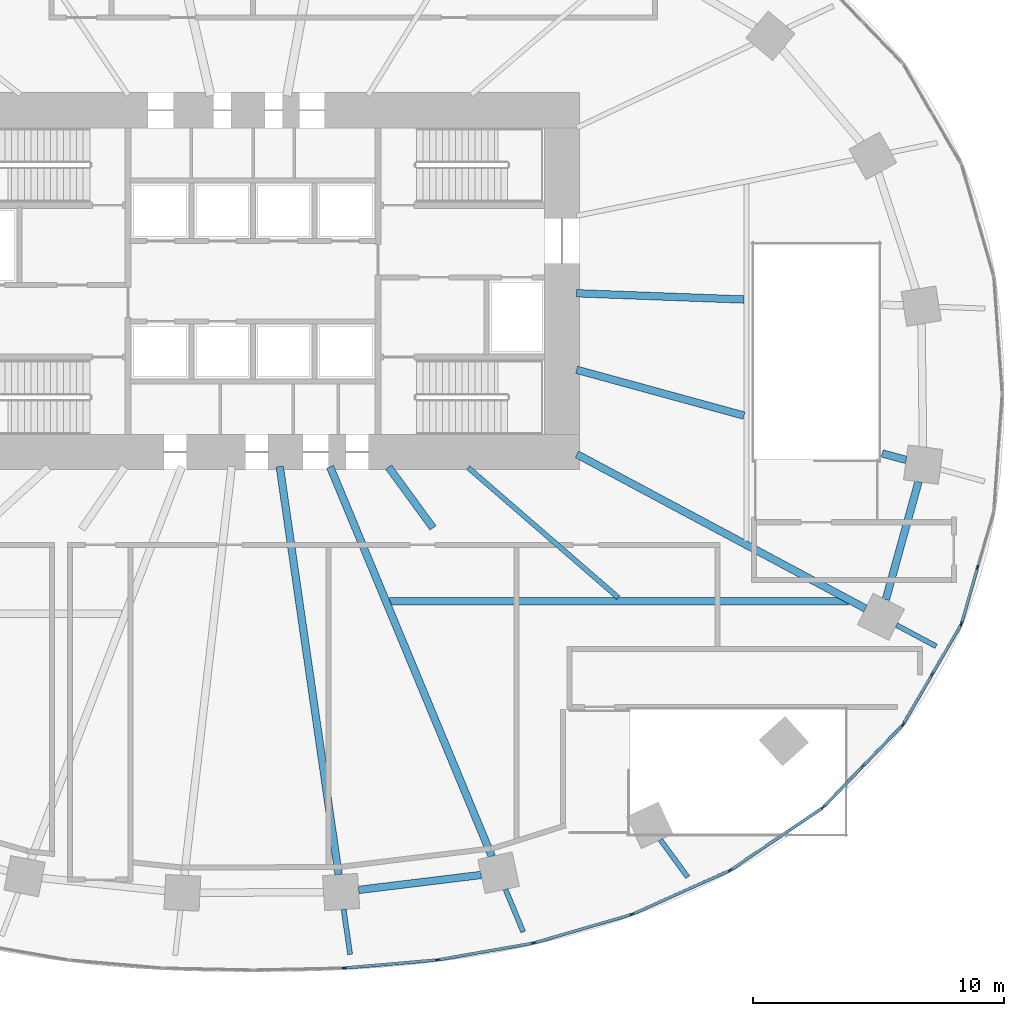
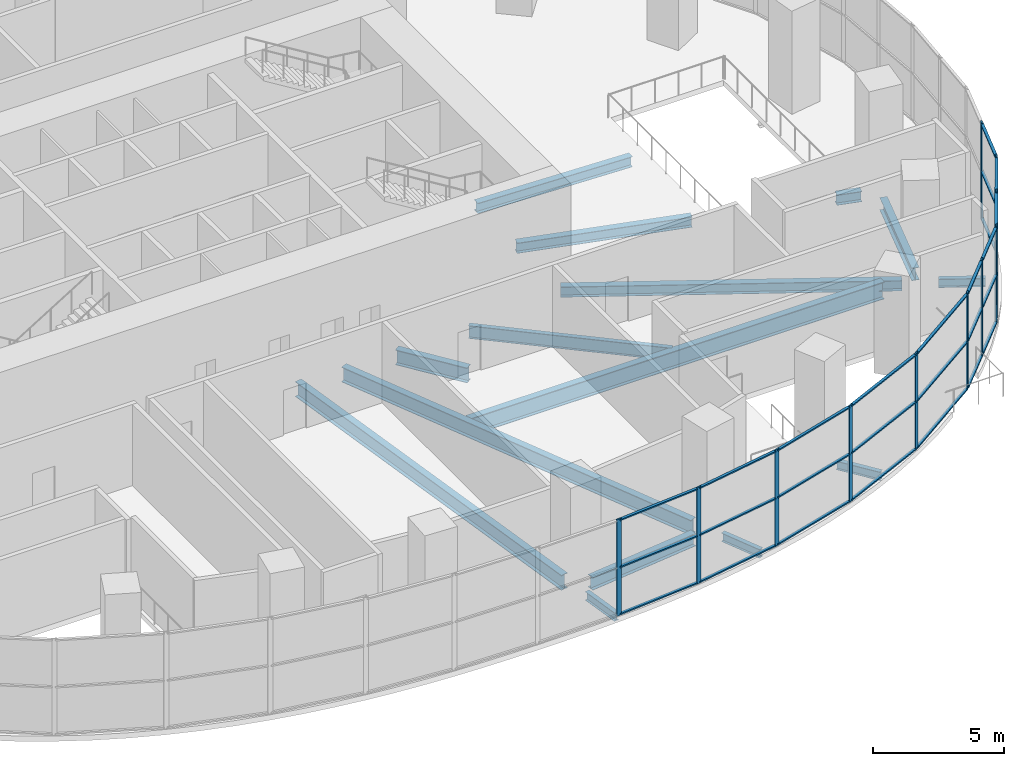
# One storey, part 5 of 17: 41 members, 15 beams, 8 elements without a shape of their own.
"""IFC4 building model written with IfcOpenShell, lengths in metres."""

from ifc_helpers import new_model, si_unit, direction, frame, origin, origin_2d, place, context, subcontext, project, spatial, rectangle, i_section, extrude, material, material_profile, profile_set, type_object, element, aggregate, save


model = new_model("IFC4")

# Units and contexts
model_context = context("Model", 3, precision=1e-05, world=origin(), true_north=direction((0.0, 1.0)))
body_context = subcontext(model_context, "Body", "Model", "MODEL_VIEW")
ifc_project = project(units=[si_unit("LENGTHUNIT", "METRE"), si_unit("AREAUNIT", "SQUARE_METRE"), si_unit("VOLUMEUNIT", "CUBIC_METRE"), si_unit("PLANEANGLEUNIT", "RADIAN"), si_unit("MASSUNIT", "GRAM", prefix="KILO")], contexts=[model_context])

# Site, building, storey
site_placement = place(None, origin())
site = spatial("IfcSite", under=ifc_project, at=site_placement, CompositionType="ELEMENT")
building_placement = place(site_placement, origin())
building = spatial("IfcBuilding", under=site, at=building_placement, Name="Rubra Terraces Tower", CompositionType="ELEMENT")
storey_placement = place(building_placement, frame((0.0, 0.0, 28.199951171875)))
storey = spatial("IfcBuildingStorey", under=building, at=storey_placement, Name="L04", CompositionType="ELEMENT", Elevation=28.199951171875)

# Beams
ifc_material_1 = material(Name="Steel Q355B", Category="steel")
ifc_material_profile_1 = material_profile(ifc_material_1, i_section(OverallWidth=0.199951171875, OverallDepth=0.39990234375, WebThickness=0.008056640625, FlangeThickness=0.012939453125, at=origin_2d()), Name="HN 400x200x8x13")
ifc_profile_set_1 = profile_set([ifc_material_profile_1], Name="Steel Q355B")
beam_type_1 = type_object("IfcBeamType", Name="CANTILEVER BEAM HN 400x200x8x13", PredefinedType="BEAM", material=ifc_profile_set_1)
beam_1_placement = place(storey_placement, frame((3.60888671875, -20.51904296875, -0.449951171875), z_axis=(0.142763772924, -0.989756790904, 0.0), x_axis=(0.989756790904, 0.142763772924, 0.0)))
element("IfcBeam", 1, at=beam_1_placement, inside=storey, type_object=beam_type_1, Name="beam-L04-cant-19", PredefinedType="BEAM", context=body_context, shape_type="SweptSolid", body=[
    extrude(i_section(OverallWidth=0.199951171875, OverallDepth=0.39990234375, WebThickness=0.008056640625, FlangeThickness=0.012939453125, at=origin_2d()), origin(), (0.0, 0.0, 1.0), 1.8076171875),
])
beam_2_placement = place(storey_placement, frame((10.052978515625, -19.715087890625, -0.449951171875), z_axis=(0.383493077266, -0.923543750826, 0.0), x_axis=(0.923543750826, 0.383493077266, 0.0)))
element("IfcBeam", 2, at=beam_2_placement, inside=storey, type_object=beam_type_1, Name="beam-L04-cant-20", PredefinedType="BEAM", context=body_context, shape_type="SweptSolid", body=[
    extrude(i_section(OverallWidth=0.199951171875, OverallDepth=0.39990234375, WebThickness=0.008056640625, FlangeThickness=0.012939453125, at=origin_2d()), origin(), (0.0, 0.0, 1.0), 1.838623046875),
])
beam_3_placement = place(storey_placement, frame((16.219970703125, -17.741943359375, -0.449951171875), z_axis=(0.589263865816, -0.80794065156, 0.0), x_axis=(0.80794065156, 0.589263865816, 0.0)))
element("IfcBeam", 3, at=beam_3_placement, inside=storey, type_object=beam_type_1, Name="beam-L04-cant-21", PredefinedType="BEAM", context=body_context, shape_type="SweptSolid", body=[
    extrude(i_section(OverallWidth=0.199951171875, OverallDepth=0.39990234375, WebThickness=0.008056640625, FlangeThickness=0.012939453125, at=origin_2d()), origin(), (0.0, 0.0, 1.0), 1.8466796875),
])
beam_4_placement = place(storey_placement, frame((25.62109375, -9.196044921875, -0.449951171875), z_axis=(0.881903321084, -0.471430304776, 0.0), x_axis=(0.471430304776, 0.881903321084, 0.0)))
element("IfcBeam", 4, at=beam_4_placement, inside=storey, type_object=beam_type_1, Name="beam-L04-cant-23", PredefinedType="BEAM", context=body_context, shape_type="SweptSolid", body=[
    extrude(i_section(OverallWidth=0.199951171875, OverallDepth=0.39990234375, WebThickness=0.008056640625, FlangeThickness=0.012939453125, at=origin_2d()), origin(), (0.0, 0.0, 1.0), 1.790283203125),
])
ifc_material_profile_2 = material_profile(ifc_material_1, i_section(OverallWidth=0.300048828125, OverallDepth=0.48193359375, WebThickness=0.010986328125, FlangeThickness=0.014892578125, at=origin_2d()), Name="HM 482x300x11x15")
ifc_profile_set_2 = profile_set([ifc_material_profile_2], Name="Steel Q355B")
beam_type_2 = type_object("IfcBeamType", Name="FLOOR BEAM HM 482x300x11x15", PredefinedType="BEAM", material=ifc_profile_set_2)
beam_5_placement = place(storey_placement, frame((19.550048828125, 3.76708984375, -0.490966796875), z_axis=(-0.99929835172, 0.037454028482, 0.0), x_axis=(-0.037454028482, -0.99929835172, 0.0)))
element("IfcBeam", 5, at=beam_5_placement, inside=storey, type_object=beam_type_2, Name="beam-L04-floor-01-b", PredefinedType="BEAM", context=body_context, shape_type="SweptSolid", body=[
    extrude(i_section(OverallWidth=0.300048828125, OverallDepth=0.48193359375, WebThickness=0.010986328125, FlangeThickness=0.014892578125, at=origin_2d()), origin(), (0.0, 0.0, 1.0), 6.6748046875),
])
beam_6_placement = place(storey_placement, frame((24.385009765625, -8.535888671875, -0.490966796875), z_axis=(-0.881896613876, 0.471442851716, 0.0), x_axis=(-0.471442851716, -0.881896613876, 0.0)))
element("IfcBeam", 6, at=beam_6_placement, inside=storey, type_object=beam_type_2, Name="beam-L04-floor-23", PredefinedType="BEAM", context=body_context, shape_type="SweptSolid", body=[
    extrude(i_section(OverallWidth=0.300048828125, OverallDepth=0.48193359375, WebThickness=0.010986328125, FlangeThickness=0.014892578125, at=origin_2d()), origin(), (0.0, 0.0, 1.0), 13.02978515625),
])
beam_7_placement = place(storey_placement, frame((26.001953125, -2.62109375, -0.490966796875), z_axis=(-0.964409050959, 0.264414792376, 0.0), x_axis=(-0.264414792376, -0.964409050959, 0.0)))
element("IfcBeam", 7, at=beam_7_placement, inside=storey, type_object=beam_type_2, Name="beam-L04-floor-24-a", PredefinedType="BEAM", context=body_context, shape_type="SweptSolid", body=[
    extrude(i_section(OverallWidth=0.300048828125, OverallDepth=0.48193359375, WebThickness=0.010986328125, FlangeThickness=0.014892578125, at=origin_2d()), origin(), (0.0, 0.0, 1.0), 0.987060546875),
])
beam_8_placement = place(storey_placement, frame((19.550048828125, -0.85498046875, -0.490966796875), z_axis=(-0.96447222005, 0.26418428559, 0.0), x_axis=(-0.26418428559, -0.96447222005, 0.0)))
element("IfcBeam", 8, at=beam_8_placement, inside=storey, type_object=beam_type_2, Name="beam-L04-floor-24-b", PredefinedType="BEAM", context=body_context, shape_type="SweptSolid", body=[
    extrude(i_section(OverallWidth=0.300048828125, OverallDepth=0.48193359375, WebThickness=0.010986328125, FlangeThickness=0.014892578125, at=origin_2d()), origin(), (0.0, 0.0, 1.0), 6.91162109375),
])
ifc_material_profile_3 = material_profile(ifc_material_1, i_section(OverallWidth=0.198974609375, OverallDepth=0.595947265625, WebThickness=0.010009765625, FlangeThickness=0.014892578125, at=origin_2d()), Name="HN 596x199x10x15")
ifc_profile_set_3 = profile_set([ifc_material_profile_3], Name="Steel Q355B")
beam_type_3 = type_object("IfcBeamType", Name="FLOOR BEAM HN 596x199x10x15", PredefinedType="BEAM", material=ifc_profile_set_3)
beam_9_placement = place(storey_placement, frame((14.5390625, -8.10009765625, -0.5478515625), z_axis=(-0.755693157297, 0.654925837033, 0.0), x_axis=(-0.654925837033, -0.755693157297, 0.0)))
element("IfcBeam", 9, at=beam_9_placement, inside=storey, type_object=beam_type_3, Name="beam-L04-floor-22-a", PredefinedType="BEAM", context=body_context, shape_type="SweptSolid", body=[
    extrude(i_section(OverallWidth=0.198974609375, OverallDepth=0.595947265625, WebThickness=0.010009765625, FlangeThickness=0.014892578125, at=origin_2d()), origin(), (0.0, 0.0, 1.0), 7.907958984375),
])
ifc_material_profile_4 = material_profile(ifc_material_1, i_section(OverallWidth=0.300048828125, OverallDepth=0.699951171875, WebThickness=0.012939453125, FlangeThickness=0.02392578125, at=origin_2d()), Name="HN 700x300x13x24")
ifc_profile_set_4 = profile_set([ifc_material_profile_4], Name="Steel Q355B")
beam_type_4 = type_object("IfcBeamType", Name="FLOOR BEAM HN 700x300x13x24", PredefinedType="BEAM", material=ifc_profile_set_4)
beam_10_placement = place(storey_placement, frame((3.408935546875, -19.12890625, -0.599853515625), z_axis=(-0.142787075711, 0.9897534294, 0.0), x_axis=(-0.9897534294, -0.142787075711, 0.0)))
element("IfcBeam", 10, at=beam_10_placement, inside=storey, type_object=beam_type_4, Name="beam-L04-floor-19", PredefinedType="BEAM", context=body_context, shape_type="SweptSolid", body=[
    extrude(i_section(OverallWidth=0.300048828125, OverallDepth=0.699951171875, WebThickness=0.012939453125, FlangeThickness=0.02392578125, at=origin_2d()), origin(), (0.0, 0.0, 1.0), 16.416015625),
])
beam_11_placement = place(storey_placement, frame((9.507080078125, -18.40087890625, -0.599853515625), z_axis=(-0.383379543301, 0.923590886582, 0.0), x_axis=(-0.923590886582, -0.383379543301, 0.0)))
element("IfcBeam", 11, at=beam_11_placement, inside=storey, type_object=beam_type_4, Name="beam-L04-floor-20", PredefinedType="BEAM", context=body_context, shape_type="SweptSolid", body=[
    extrude(i_section(OverallWidth=0.300048828125, OverallDepth=0.699951171875, WebThickness=0.012939453125, FlangeThickness=0.02392578125, at=origin_2d()), origin(), (0.0, 0.0, 1.0), 16.795166015625),
])
beam_12_placement = place(storey_placement, frame((7.1669921875, -5.326904296875, -0.599853515625), z_axis=(-0.589322677246, 0.807897754722, 0.0), x_axis=(-0.807897754722, -0.589322677246, 0.0)))
element("IfcBeam", 12, at=beam_12_placement, inside=storey, type_object=beam_type_4, Name="beam-L04-floor-21-a", PredefinedType="BEAM", context=body_context, shape_type="SweptSolid", body=[
    extrude(i_section(OverallWidth=0.300048828125, OverallDepth=0.699951171875, WebThickness=0.012939453125, FlangeThickness=0.02392578125, at=origin_2d()), origin(), (0.0, 0.0, 1.0), 3.000244140625),
])

# Curtain wall, member
ifc_material_2 = material(Name="Aluminium and glass", Category="aluminium")
curtain_wall_type = type_object("IfcCurtainWallType", Name="Curtain wall Podium glazing", PredefinedType="NOTDEFINED", material=ifc_material_2)
curtain_wall_1_placement = place(storey_placement, origin())
curtain_wall_1 = element("IfcCurtainWall", 13, at=curtain_wall_1_placement, inside=storey, type_object=curtain_wall_type, Name="L04 glazing bay 32", PredefinedType="NOTDEFINED")
ifc_material_3 = material(Name="Aluminium, anodised dark grey", Category="aluminium")
ifc_material_profile_5 = material_profile(ifc_material_3, rectangle(XDim=0.06005859375, YDim=0.199951171875, at=origin_2d()), Name="AL 60x200")
ifc_profile_set_5 = profile_set([ifc_material_profile_5], Name="Aluminium, anodised dark grey")
member_type_1 = type_object("IfcMemberType", Name="Podium glazing mullion 60 x 200", PredefinedType="MULLION", material=ifc_profile_set_5)
member_1_placement = place(storey_placement, frame((3.6533203125, -22.8447265625, 0.0), z_axis=(0.0, 0.0, 1.0), x_axis=(-0.08639804595, 0.996260697637, 0.0)))
member_1 = element("IfcMember", 14, at=member_1_placement, type_object=member_type_1, Name="CW1 mullion 1", PredefinedType="MULLION", context=body_context, shape_type="SweptSolid", body=[
    extrude(rectangle(XDim=0.06005859375, YDim=0.199951171875, at=origin_2d()), origin(), (0.0, 0.0, 1.0), 4.5),
])

curtain_wall_2_placement = place(storey_placement, origin())
curtain_wall_2 = element("IfcCurtainWall", 15, at=curtain_wall_2_placement, inside=storey, type_object=curtain_wall_type, Name="L04 glazing bay 33", PredefinedType="NOTDEFINED")
member_2_placement = place(storey_placement, frame((7.359619140625, -22.52099609375, 0.0), z_axis=(0.0, 0.0, 1.0), x_axis=(-0.172816985997, 0.984953952909, 0.0)))
member_2 = element("IfcMember", 16, at=member_2_placement, type_object=member_type_1, Name="CW1 mullion 1", PredefinedType="MULLION", context=body_context, shape_type="SweptSolid", body=[
    extrude(rectangle(XDim=0.06005859375, YDim=0.199951171875, at=origin_2d()), origin(), (0.0, 0.0, 1.0), 4.5),
])

curtain_wall_3_placement = place(storey_placement, origin())
curtain_wall_3 = element("IfcCurtainWall", 17, at=curtain_wall_3_placement, inside=storey, type_object=curtain_wall_type, Name="L04 glazing bay 34", PredefinedType="NOTDEFINED")
member_3_placement = place(storey_placement, frame((11.180908203125, -21.84765625, 0.0), z_axis=(0.0, 0.0, 1.0), x_axis=(-0.279399200229, 0.96017502931, 0.0)))
member_3 = element("IfcMember", 18, at=member_3_placement, type_object=member_type_1, Name="CW1 mullion 1", PredefinedType="MULLION", context=body_context, shape_type="SweptSolid", body=[
    extrude(rectangle(XDim=0.06005859375, YDim=0.199951171875, at=origin_2d()), origin(), (0.0, 0.0, 1.0), 4.5),
])

curtain_wall_4_placement = place(storey_placement, origin())
curtain_wall_4 = element("IfcCurtainWall", 19, at=curtain_wall_4_placement, inside=storey, type_object=curtain_wall_type, Name="L04 glazing bay 35", PredefinedType="NOTDEFINED")
member_4_placement = place(storey_placement, frame((15.09765625, -20.704345703125, 0.0), z_axis=(0.0, 0.0, 1.0), x_axis=(-0.4089624427, 0.912551215254, 0.0)))
member_4 = element("IfcMember", 20, at=member_4_placement, type_object=member_type_1, Name="CW1 mullion 1", PredefinedType="MULLION", context=body_context, shape_type="SweptSolid", body=[
    extrude(rectangle(XDim=0.06005859375, YDim=0.199951171875, at=origin_2d()), origin(), (0.0, 0.0, 1.0), 4.5),
])

curtain_wall_5_placement = place(storey_placement, origin())
curtain_wall_5 = element("IfcCurtainWall", 21, at=curtain_wall_5_placement, inside=storey, type_object=curtain_wall_type, Name="L04 glazing bay 36", PredefinedType="NOTDEFINED")
member_5_placement = place(storey_placement, frame((19.009033203125, -18.947021484375, 0.0), z_axis=(0.0, 0.0, 1.0), x_axis=(-0.55927727939, 0.828980654031, 0.0)))
member_5 = element("IfcMember", 22, at=member_5_placement, type_object=member_type_1, Name="CW1 mullion 1", PredefinedType="MULLION", context=body_context, shape_type="SweptSolid", body=[
    extrude(rectangle(XDim=0.06005859375, YDim=0.199951171875, at=origin_2d()), origin(), (0.0, 0.0, 1.0), 4.5),
])

# Curtain wall, members
curtain_wall_6_placement = place(storey_placement, origin())
curtain_wall_6 = element("IfcCurtainWall", 23, at=curtain_wall_6_placement, inside=storey, type_object=curtain_wall_type, Name="L04 glazing bay 37", PredefinedType="NOTDEFINED")
member_6_placement = place(storey_placement, frame((22.705810546875, -16.447265625, 0.0), z_axis=(0.0, 0.0, 1.0), x_axis=(-0.71982488517, 0.69415569917, 0.0)))
member_6 = element("IfcMember", 24, at=member_6_placement, type_object=member_type_1, Name="CW1 mullion 1", PredefinedType="MULLION", context=body_context, shape_type="SweptSolid", body=[
    extrude(rectangle(XDim=0.06005859375, YDim=0.199951171875, at=origin_2d()), origin(), (0.0, 0.0, 1.0), 4.5),
])
member_7_placement = place(storey_placement, frame((24.280517578125, -14.814453125, 0.0), z_axis=(0.0, 0.0, 1.0), x_axis=(-0.71982488517, 0.69415569917, 0.0)))
member_7 = element("IfcMember", 25, at=member_7_placement, type_object=member_type_1, Name="CW1 mullion 2", PredefinedType="MULLION", context=body_context, shape_type="SweptSolid", body=[
    extrude(rectangle(XDim=0.06005859375, YDim=0.199951171875, at=origin_2d()), origin(), (0.0, 0.0, 1.0), 4.5),
])

curtain_wall_7_placement = place(storey_placement, origin())
curtain_wall_7 = element("IfcCurtainWall", 26, at=curtain_wall_7_placement, inside=storey, type_object=curtain_wall_type, Name="L04 glazing bay 38", PredefinedType="NOTDEFINED")
member_8_placement = place(storey_placement, frame((25.880126953125, -13.1484375, 0.0), z_axis=(0.0, 0.0, 1.0), x_axis=(-0.864813011398, 0.502094070187, 0.0)))
member_8 = element("IfcMember", 27, at=member_8_placement, type_object=member_type_1, Name="CW1 mullion 1", PredefinedType="MULLION", context=body_context, shape_type="SweptSolid", body=[
    extrude(rectangle(XDim=0.06005859375, YDim=0.199951171875, at=origin_2d()), origin(), (0.0, 0.0, 1.0), 4.5),
])
member_9_placement = place(storey_placement, frame((27.0341796875, -11.160888671875, 0.0), z_axis=(0.0, 0.0, 1.0), x_axis=(-0.864813011398, 0.502094070187, 0.0)))
member_9 = element("IfcMember", 28, at=member_9_placement, type_object=member_type_1, Name="CW1 mullion 2", PredefinedType="MULLION", context=body_context, shape_type="SweptSolid", body=[
    extrude(rectangle(XDim=0.06005859375, YDim=0.199951171875, at=origin_2d()), origin(), (0.0, 0.0, 1.0), 4.5),
])

curtain_wall_8_placement = place(storey_placement, origin())
curtain_wall_8 = element("IfcCurtainWall", 29, at=curtain_wall_8_placement, inside=storey, type_object=curtain_wall_type, Name="L04 glazing bay 39", PredefinedType="NOTDEFINED")
member_10_placement = place(storey_placement, frame((28.2041015625, -9.135498046875, 0.0), z_axis=(0.0, 0.0, 1.0), x_axis=(-0.961047339404, 0.276383811798, 0.0)))
member_10 = element("IfcMember", 30, at=member_10_placement, type_object=member_type_1, Name="CW1 mullion 1", PredefinedType="MULLION", context=body_context, shape_type="SweptSolid", body=[
    extrude(rectangle(XDim=0.06005859375, YDim=0.199951171875, at=origin_2d()), origin(), (0.0, 0.0, 1.0), 4.5),
])
member_11_placement = place(storey_placement, frame((28.843505859375, -6.912841796875, 0.0), z_axis=(0.0, 0.0, 1.0), x_axis=(-0.961047339404, 0.276383811798, 0.0)))
member_11 = element("IfcMember", 31, at=member_11_placement, type_object=member_type_1, Name="CW1 mullion 2", PredefinedType="MULLION", context=body_context, shape_type="SweptSolid", body=[
    extrude(rectangle(XDim=0.06005859375, YDim=0.199951171875, at=origin_2d()), origin(), (0.0, 0.0, 1.0), 4.5),
])

# Member
ifc_material_profile_6 = material_profile(ifc_material_3, rectangle(XDim=0.1201171875, YDim=0.06005859375, at=origin_2d()), Name="AL 120x60")
ifc_profile_set_6 = profile_set([ifc_material_profile_6], Name="Aluminium, anodised dark grey")
member_type_2 = type_object("IfcMemberType", Name="Podium glazing transom 120 x 60", PredefinedType="USERDEFINED", material=ifc_profile_set_6)
member_12_placement = place(storey_placement, frame((3.683349609375, -22.842041015625, 0.06005859375), z_axis=(0.996262906738, 0.086372568895, 0.0), x_axis=(-0.086372568895, 0.996262906738, 0.0)))
member_12 = element("IfcMember", 32, at=member_12_placement, type_object=member_type_2, Name="CW1 transom 1.1", ObjectType="TRANSOM", PredefinedType="USERDEFINED", context=body_context, shape_type="SweptSolid", body=[
    extrude(rectangle(XDim=0.1201171875, YDim=0.06005859375, at=origin_2d()), origin(), (0.0, 0.0, 1.0), 3.606689453125),
])

member_13_placement = place(storey_placement, frame((3.683349609375, -22.842041015625, 2.25), z_axis=(0.996262906738, 0.086372568895, 0.0), x_axis=(-0.086372568895, 0.996262906738, 0.0)))
member_13 = element("IfcMember", 33, at=member_13_placement, type_object=member_type_2, Name="CW1 transom 1.2", ObjectType="TRANSOM", PredefinedType="USERDEFINED", context=body_context, shape_type="SweptSolid", body=[
    extrude(rectangle(XDim=0.1201171875, YDim=0.06005859375, at=origin_2d()), origin(), (0.0, 0.0, 1.0), 3.606689453125),
])

member_14_placement = place(storey_placement, frame((3.683349609375, -22.842041015625, 4.43994140625), z_axis=(0.996262906738, 0.086372568895, 0.0), x_axis=(-0.086372568895, 0.996262906738, 0.0)))
member_14 = element("IfcMember", 34, at=member_14_placement, type_object=member_type_2, Name="CW1 transom 1.3", ObjectType="TRANSOM", PredefinedType="USERDEFINED", context=body_context, shape_type="SweptSolid", body=[
    extrude(rectangle(XDim=0.1201171875, YDim=0.06005859375, at=origin_2d()), origin(), (0.0, 0.0, 1.0), 3.606689453125),
])

aggregate(curtain_wall_1, [member_1, member_12, member_13, member_14])

member_15_placement = place(storey_placement, frame((7.38916015625, -22.515625, 0.06005859375), z_axis=(0.984959152546, 0.172787348539, 0.0), x_axis=(-0.172787348539, 0.984959152546, 0.0)))
member_15 = element("IfcMember", 35, at=member_15_placement, type_object=member_type_2, Name="CW1 transom 1.1", ObjectType="TRANSOM", PredefinedType="USERDEFINED", context=body_context, shape_type="SweptSolid", body=[
    extrude(rectangle(XDim=0.1201171875, YDim=0.06005859375, at=origin_2d()), origin(), (0.0, 0.0, 1.0), 3.768310546875),
])

member_16_placement = place(storey_placement, frame((7.38916015625, -22.515625, 2.25), z_axis=(0.984959152546, 0.172787348539, 0.0), x_axis=(-0.172787348539, 0.984959152546, 0.0)))
member_16 = element("IfcMember", 36, at=member_16_placement, type_object=member_type_2, Name="CW1 transom 1.2", ObjectType="TRANSOM", PredefinedType="USERDEFINED", context=body_context, shape_type="SweptSolid", body=[
    extrude(rectangle(XDim=0.1201171875, YDim=0.06005859375, at=origin_2d()), origin(), (0.0, 0.0, 1.0), 3.768310546875),
])

member_17_placement = place(storey_placement, frame((7.38916015625, -22.515625, 4.43994140625), z_axis=(0.984959152546, 0.172787348539, 0.0), x_axis=(-0.172787348539, 0.984959152546, 0.0)))
member_17 = element("IfcMember", 37, at=member_17_placement, type_object=member_type_2, Name="CW1 transom 1.3", ObjectType="TRANSOM", PredefinedType="USERDEFINED", context=body_context, shape_type="SweptSolid", body=[
    extrude(rectangle(XDim=0.1201171875, YDim=0.06005859375, at=origin_2d()), origin(), (0.0, 0.0, 1.0), 3.768310546875),
])

aggregate(curtain_wall_2, [member_2, member_15, member_16, member_17])

member_18_placement = place(storey_placement, frame((11.209716796875, -21.83935546875, 0.06005859375), z_axis=(0.960164409194, 0.279435694422, 0.0), x_axis=(-0.279435694422, 0.960164409194, 0.0)))
member_18 = element("IfcMember", 38, at=member_18_placement, type_object=member_type_2, Name="CW1 transom 1.1", ObjectType="TRANSOM", PredefinedType="USERDEFINED", context=body_context, shape_type="SweptSolid", body=[
    extrude(rectangle(XDim=0.1201171875, YDim=0.06005859375, at=origin_2d()), origin(), (0.0, 0.0, 1.0), 3.970947265625),
])

member_19_placement = place(storey_placement, frame((11.209716796875, -21.83935546875, 2.25), z_axis=(0.960164409194, 0.279435694422, 0.0), x_axis=(-0.279435694422, 0.960164409194, 0.0)))
member_19 = element("IfcMember", 39, at=member_19_placement, type_object=member_type_2, Name="CW1 transom 1.2", ObjectType="TRANSOM", PredefinedType="USERDEFINED", context=body_context, shape_type="SweptSolid", body=[
    extrude(rectangle(XDim=0.1201171875, YDim=0.06005859375, at=origin_2d()), origin(), (0.0, 0.0, 1.0), 3.970947265625),
])

member_20_placement = place(storey_placement, frame((11.209716796875, -21.83935546875, 4.43994140625), z_axis=(0.960164409194, 0.279435694422, 0.0), x_axis=(-0.279435694422, 0.960164409194, 0.0)))
member_20 = element("IfcMember", 40, at=member_20_placement, type_object=member_type_2, Name="CW1 transom 1.3", ObjectType="TRANSOM", PredefinedType="USERDEFINED", context=body_context, shape_type="SweptSolid", body=[
    extrude(rectangle(XDim=0.1201171875, YDim=0.06005859375, at=origin_2d()), origin(), (0.0, 0.0, 1.0), 3.970947265625),
])

aggregate(curtain_wall_3, [member_3, member_18, member_19, member_20])

member_21_placement = place(storey_placement, frame((15.125, -20.692138671875, 0.06005859375), z_axis=(0.912545396627, 0.408975426029, 0.0), x_axis=(-0.408975426029, 0.912545396627, 0.0)))
member_21 = element("IfcMember", 41, at=member_21_placement, type_object=member_type_2, Name="CW1 transom 1.1", ObjectType="TRANSOM", PredefinedType="USERDEFINED", context=body_context, shape_type="SweptSolid", body=[
    extrude(rectangle(XDim=0.1201171875, YDim=0.06005859375, at=origin_2d()), origin(), (0.0, 0.0, 1.0), 4.18115234375),
])

member_22_placement = place(storey_placement, frame((15.125, -20.692138671875, 2.25), z_axis=(0.912545396627, 0.408975426029, 0.0), x_axis=(-0.408975426029, 0.912545396627, 0.0)))
member_22 = element("IfcMember", 42, at=member_22_placement, type_object=member_type_2, Name="CW1 transom 1.2", ObjectType="TRANSOM", PredefinedType="USERDEFINED", context=body_context, shape_type="SweptSolid", body=[
    extrude(rectangle(XDim=0.1201171875, YDim=0.06005859375, at=origin_2d()), origin(), (0.0, 0.0, 1.0), 4.18115234375),
])

member_23_placement = place(storey_placement, frame((15.125, -20.692138671875, 4.43994140625), z_axis=(0.912545396627, 0.408975426029, 0.0), x_axis=(-0.408975426029, 0.912545396627, 0.0)))
member_23 = element("IfcMember", 43, at=member_23_placement, type_object=member_type_2, Name="CW1 transom 1.3", ObjectType="TRANSOM", PredefinedType="USERDEFINED", context=body_context, shape_type="SweptSolid", body=[
    extrude(rectangle(XDim=0.1201171875, YDim=0.06005859375, at=origin_2d()), origin(), (0.0, 0.0, 1.0), 4.18115234375),
])

aggregate(curtain_wall_4, [member_4, member_21, member_22, member_23])

member_24_placement = place(storey_placement, frame((19.033935546875, -18.93017578125, 0.06005859375), z_axis=(0.828996039897, 0.559254473236, 0.0), x_axis=(-0.559254473236, 0.828996039897, 0.0)))
member_24 = element("IfcMember", 44, at=member_24_placement, type_object=member_type_2, Name="CW1 transom 1.1", ObjectType="TRANSOM", PredefinedType="USERDEFINED", context=body_context, shape_type="SweptSolid", body=[
    extrude(rectangle(XDim=0.1201171875, YDim=0.06005859375, at=origin_2d()), origin(), (0.0, 0.0, 1.0), 4.35888671875),
])

member_25_placement = place(storey_placement, frame((19.033935546875, -18.93017578125, 2.25), z_axis=(0.828996039897, 0.559254473236, 0.0), x_axis=(-0.559254473236, 0.828996039897, 0.0)))
member_25 = element("IfcMember", 45, at=member_25_placement, type_object=member_type_2, Name="CW1 transom 1.2", ObjectType="TRANSOM", PredefinedType="USERDEFINED", context=body_context, shape_type="SweptSolid", body=[
    extrude(rectangle(XDim=0.1201171875, YDim=0.06005859375, at=origin_2d()), origin(), (0.0, 0.0, 1.0), 4.35888671875),
])

member_26_placement = place(storey_placement, frame((19.033935546875, -18.93017578125, 4.43994140625), z_axis=(0.828996039897, 0.559254473236, 0.0), x_axis=(-0.559254473236, 0.828996039897, 0.0)))
member_26 = element("IfcMember", 46, at=member_26_placement, type_object=member_type_2, Name="CW1 transom 1.3", ObjectType="TRANSOM", PredefinedType="USERDEFINED", context=body_context, shape_type="SweptSolid", body=[
    extrude(rectangle(XDim=0.1201171875, YDim=0.06005859375, at=origin_2d()), origin(), (0.0, 0.0, 1.0), 4.35888671875),
])

aggregate(curtain_wall_5, [member_5, member_24, member_25, member_26])

member_27_placement = place(storey_placement, frame((22.7265625, -16.42578125, 0.06005859375), z_axis=(0.694168299732, 0.719812733735, 0.0), x_axis=(-0.719812733735, 0.694168299732, 0.0)))
member_27 = element("IfcMember", 47, at=member_27_placement, type_object=member_type_2, Name="CW1 transom 1.1", ObjectType="TRANSOM", PredefinedType="USERDEFINED", context=body_context, shape_type="SweptSolid", body=[
    extrude(rectangle(XDim=0.1201171875, YDim=0.06005859375, at=origin_2d()), origin(), (0.0, 0.0, 1.0), 2.208740234375),
])

member_28_placement = place(storey_placement, frame((22.7265625, -16.42578125, 2.25), z_axis=(0.694168299732, 0.719812733735, 0.0), x_axis=(-0.719812733735, 0.694168299732, 0.0)))
member_28 = element("IfcMember", 48, at=member_28_placement, type_object=member_type_2, Name="CW1 transom 1.2", ObjectType="TRANSOM", PredefinedType="USERDEFINED", context=body_context, shape_type="SweptSolid", body=[
    extrude(rectangle(XDim=0.1201171875, YDim=0.06005859375, at=origin_2d()), origin(), (0.0, 0.0, 1.0), 2.208740234375),
])

member_29_placement = place(storey_placement, frame((22.7265625, -16.42578125, 4.43994140625), z_axis=(0.694168299732, 0.719812733735, 0.0), x_axis=(-0.719812733735, 0.694168299732, 0.0)))
member_29 = element("IfcMember", 49, at=member_29_placement, type_object=member_type_2, Name="CW1 transom 1.3", ObjectType="TRANSOM", PredefinedType="USERDEFINED", context=body_context, shape_type="SweptSolid", body=[
    extrude(rectangle(XDim=0.1201171875, YDim=0.06005859375, at=origin_2d()), origin(), (0.0, 0.0, 1.0), 2.208740234375),
])

member_30_placement = place(storey_placement, frame((24.30126953125, -14.792724609375, 0.06005859375), z_axis=(0.694223533913, 0.719759463266, 0.0), x_axis=(-0.719759463266, 0.694223533913, 0.0)))
member_30 = element("IfcMember", 50, at=member_30_placement, type_object=member_type_2, Name="CW1 transom 2.1", ObjectType="TRANSOM", PredefinedType="USERDEFINED", context=body_context, shape_type="SweptSolid", body=[
    extrude(rectangle(XDim=0.1201171875, YDim=0.06005859375, at=origin_2d()), origin(), (0.0, 0.0, 1.0), 2.20849609375),
])

member_31_placement = place(storey_placement, frame((24.30126953125, -14.792724609375, 2.25), z_axis=(0.694223533913, 0.719759463266, 0.0), x_axis=(-0.719759463266, 0.694223533913, 0.0)))
member_31 = element("IfcMember", 51, at=member_31_placement, type_object=member_type_2, Name="CW1 transom 2.2", ObjectType="TRANSOM", PredefinedType="USERDEFINED", context=body_context, shape_type="SweptSolid", body=[
    extrude(rectangle(XDim=0.1201171875, YDim=0.06005859375, at=origin_2d()), origin(), (0.0, 0.0, 1.0), 2.20849609375),
])

member_32_placement = place(storey_placement, frame((24.30126953125, -14.792724609375, 4.43994140625), z_axis=(0.694223533913, 0.719759463266, 0.0), x_axis=(-0.719759463266, 0.694223533913, 0.0)))
member_32 = element("IfcMember", 52, at=member_32_placement, type_object=member_type_2, Name="CW1 transom 2.3", ObjectType="TRANSOM", PredefinedType="USERDEFINED", context=body_context, shape_type="SweptSolid", body=[
    extrude(rectangle(XDim=0.1201171875, YDim=0.06005859375, at=origin_2d()), origin(), (0.0, 0.0, 1.0), 2.20849609375),
])

aggregate(curtain_wall_6, [member_6, member_7, member_27, member_28, member_29, member_30, member_31, member_32])

member_33_placement = place(storey_placement, frame((25.895263671875, -13.122314453125, 0.06005859375), z_axis=(0.502106569931, 0.864805754162, 0.0), x_axis=(-0.864805754162, 0.502106569931, 0.0)))
member_33 = element("IfcMember", 53, at=member_33_placement, type_object=member_type_2, Name="CW1 transom 1.1", ObjectType="TRANSOM", PredefinedType="USERDEFINED", context=body_context, shape_type="SweptSolid", body=[
    extrude(rectangle(XDim=0.1201171875, YDim=0.06005859375, at=origin_2d()), origin(), (0.0, 0.0, 1.0), 2.238037109375),
])

member_34_placement = place(storey_placement, frame((25.895263671875, -13.122314453125, 2.25), z_axis=(0.502106569931, 0.864805754162, 0.0), x_axis=(-0.864805754162, 0.502106569931, 0.0)))
member_34 = element("IfcMember", 54, at=member_34_placement, type_object=member_type_2, Name="CW1 transom 1.2", ObjectType="TRANSOM", PredefinedType="USERDEFINED", context=body_context, shape_type="SweptSolid", body=[
    extrude(rectangle(XDim=0.1201171875, YDim=0.06005859375, at=origin_2d()), origin(), (0.0, 0.0, 1.0), 2.238037109375),
])

member_35_placement = place(storey_placement, frame((25.895263671875, -13.122314453125, 4.43994140625), z_axis=(0.502106569931, 0.864805754162, 0.0), x_axis=(-0.864805754162, 0.502106569931, 0.0)))
member_35 = element("IfcMember", 55, at=member_35_placement, type_object=member_type_2, Name="CW1 transom 1.3", ObjectType="TRANSOM", PredefinedType="USERDEFINED", context=body_context, shape_type="SweptSolid", body=[
    extrude(rectangle(XDim=0.1201171875, YDim=0.06005859375, at=origin_2d()), origin(), (0.0, 0.0, 1.0), 2.238037109375),
])

member_36_placement = place(storey_placement, frame((27.049072265625, -11.134765625, 0.06005859375), z_axis=(0.5021881448, 0.864758386616, 0.0), x_axis=(-0.864758386616, 0.5021881448, 0.0)))
member_36 = element("IfcMember", 56, at=member_36_placement, type_object=member_type_2, Name="CW1 transom 2.1", ObjectType="TRANSOM", PredefinedType="USERDEFINED", context=body_context, shape_type="SweptSolid", body=[
    extrude(rectangle(XDim=0.1201171875, YDim=0.06005859375, at=origin_2d()), origin(), (0.0, 0.0, 1.0), 2.23828125),
])

member_37_placement = place(storey_placement, frame((27.049072265625, -11.134765625, 2.25), z_axis=(0.5021881448, 0.864758386616, 0.0), x_axis=(-0.864758386616, 0.5021881448, 0.0)))
member_37 = element("IfcMember", 57, at=member_37_placement, type_object=member_type_2, Name="CW1 transom 2.2", ObjectType="TRANSOM", PredefinedType="USERDEFINED", context=body_context, shape_type="SweptSolid", body=[
    extrude(rectangle(XDim=0.1201171875, YDim=0.06005859375, at=origin_2d()), origin(), (0.0, 0.0, 1.0), 2.23828125),
])

member_38_placement = place(storey_placement, frame((27.049072265625, -11.134765625, 4.43994140625), z_axis=(0.5021881448, 0.864758386616, 0.0), x_axis=(-0.864758386616, 0.5021881448, 0.0)))
member_38 = element("IfcMember", 58, at=member_38_placement, type_object=member_type_2, Name="CW1 transom 2.3", ObjectType="TRANSOM", PredefinedType="USERDEFINED", context=body_context, shape_type="SweptSolid", body=[
    extrude(rectangle(XDim=0.1201171875, YDim=0.06005859375, at=origin_2d()), origin(), (0.0, 0.0, 1.0), 2.23828125),
])

aggregate(curtain_wall_7, [member_8, member_9, member_33, member_34, member_35, member_36, member_37, member_38])

member_39_placement = place(storey_placement, frame((28.21240234375, -9.106689453125, 0.06005859375), z_axis=(0.276452561882, 0.961027565177, 0.0), x_axis=(-0.961027565177, 0.276452561882, 0.0)))
member_39 = element("IfcMember", 59, at=member_39_placement, type_object=member_type_2, Name="CW1 transom 1.1", ObjectType="TRANSOM", PredefinedType="USERDEFINED", context=body_context, shape_type="SweptSolid", body=[
    extrude(rectangle(XDim=0.1201171875, YDim=0.06005859375, at=origin_2d()), origin(), (0.0, 0.0, 1.0), 2.2529296875),
])

member_40_placement = place(storey_placement, frame((28.21240234375, -9.106689453125, 2.25), z_axis=(0.276452561882, 0.961027565177, 0.0), x_axis=(-0.961027565177, 0.276452561882, 0.0)))
member_40 = element("IfcMember", 60, at=member_40_placement, type_object=member_type_2, Name="CW1 transom 1.2", ObjectType="TRANSOM", PredefinedType="USERDEFINED", context=body_context, shape_type="SweptSolid", body=[
    extrude(rectangle(XDim=0.1201171875, YDim=0.06005859375, at=origin_2d()), origin(), (0.0, 0.0, 1.0), 2.2529296875),
])

member_41_placement = place(storey_placement, frame((28.21240234375, -9.106689453125, 4.43994140625), z_axis=(0.276452561882, 0.961027565177, 0.0), x_axis=(-0.961027565177, 0.276452561882, 0.0)))
member_41 = element("IfcMember", 61, at=member_41_placement, type_object=member_type_2, Name="CW1 transom 1.3", ObjectType="TRANSOM", PredefinedType="USERDEFINED", context=body_context, shape_type="SweptSolid", body=[
    extrude(rectangle(XDim=0.1201171875, YDim=0.06005859375, at=origin_2d()), origin(), (0.0, 0.0, 1.0), 2.2529296875),
])

aggregate(curtain_wall_8, [member_10, member_11, member_39, member_40, member_41])

# Beams
ifc_material_profile_7 = material_profile(ifc_material_1, i_section(OverallWidth=0.300048828125, OverallDepth=0.587890625, WebThickness=0.011962890625, FlangeThickness=0.02001953125, at=origin_2d()), Name="HM 588x300x12x20")
ifc_profile_set_7 = profile_set([ifc_material_profile_7], Name="Steel Q355B")
beam_type_5 = type_object("IfcBeamType", Name="SPANDREL BEAM HM 588x300x12x20", PredefinedType="SPANDREL", material=ifc_profile_set_7)
beam_13_placement = place(storey_placement, frame((4.205078125, -19.739013671875, -0.5439453125), z_axis=(0.992616576014, 0.12129440639, 0.0), x_axis=(-0.12129440639, 0.992616576014, 0.0)))
element("IfcBeam", 62, at=beam_13_placement, inside=storey, type_object=beam_type_5, Name="beam-L04-spandrel-19", PredefinedType="SPANDREL", context=body_context, shape_type="SweptSolid", body=[
    extrude(i_section(OverallWidth=0.300048828125, OverallDepth=0.587890625, WebThickness=0.011962890625, FlangeThickness=0.02001953125, at=origin_2d()), origin(), (0.0, 0.0, 1.0), 4.913330078125),
])
beam_14_placement = place(storey_placement, frame((25.194091796875, -8.177978515625, -0.5439453125), z_axis=(0.267364386726, 0.96359549849, 0.0), x_axis=(-0.96359549849, 0.267364386726, 0.0)))
element("IfcBeam", 63, at=beam_14_placement, inside=storey, type_object=beam_type_5, Name="beam-L04-spandrel-23", PredefinedType="SPANDREL", context=body_context, shape_type="SweptSolid", body=[
    extrude(i_section(OverallWidth=0.300048828125, OverallDepth=0.587890625, WebThickness=0.011962890625, FlangeThickness=0.02001953125, at=origin_2d()), origin(), (0.0, 0.0, 1.0), 4.8662109375),
])
ifc_material_profile_8 = material_profile(ifc_material_1, i_section(OverallWidth=0.300048828125, OverallDepth=0.800048828125, WebThickness=0.013916015625, FlangeThickness=0.02587890625, at=origin_2d()), Name="HN 800x300x14x26")
ifc_profile_set_8 = profile_set([ifc_material_profile_8], Name="Steel Q355B")
beam_type_6 = type_object("IfcBeamType", Name="TRIMMER BEAM HN 800x300x14x26", PredefinedType="BEAM", material=ifc_profile_set_8)
beam_15_placement = place(storey_placement, frame((5.443115234375, -8.25, -0.64990234375), z_axis=(1.0, 0.0, 0.0), x_axis=(0.0, 1.0, 0.0)))
element("IfcBeam", 64, at=beam_15_placement, inside=storey, type_object=beam_type_6, Name="beam-L04-header-4-yhi", PredefinedType="BEAM", context=body_context, shape_type="SweptSolid", body=[
    extrude(i_section(OverallWidth=0.300048828125, OverallDepth=0.800048828125, WebThickness=0.013916015625, FlangeThickness=0.02587890625, at=origin_2d()), origin(), (0.0, 0.0, 1.0), 18.2578125),
])

save(model, "model.ifc")
